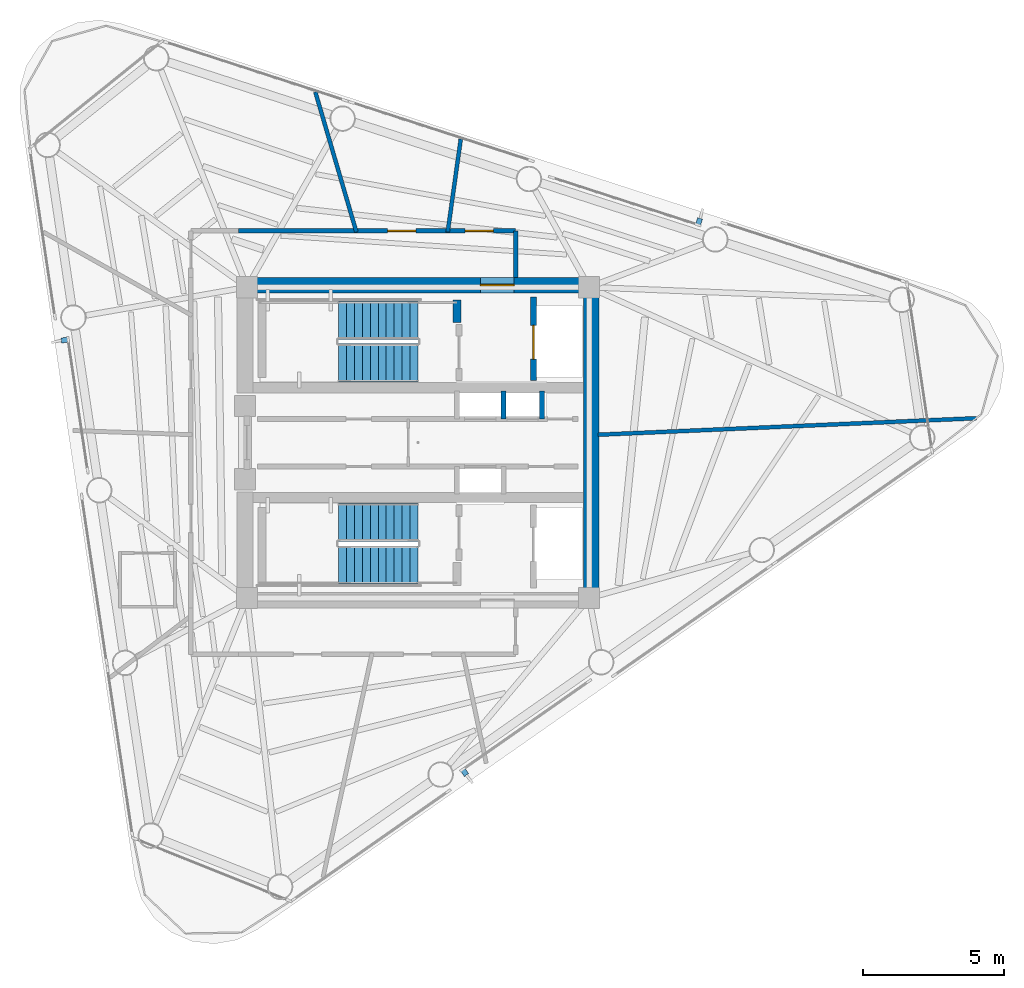
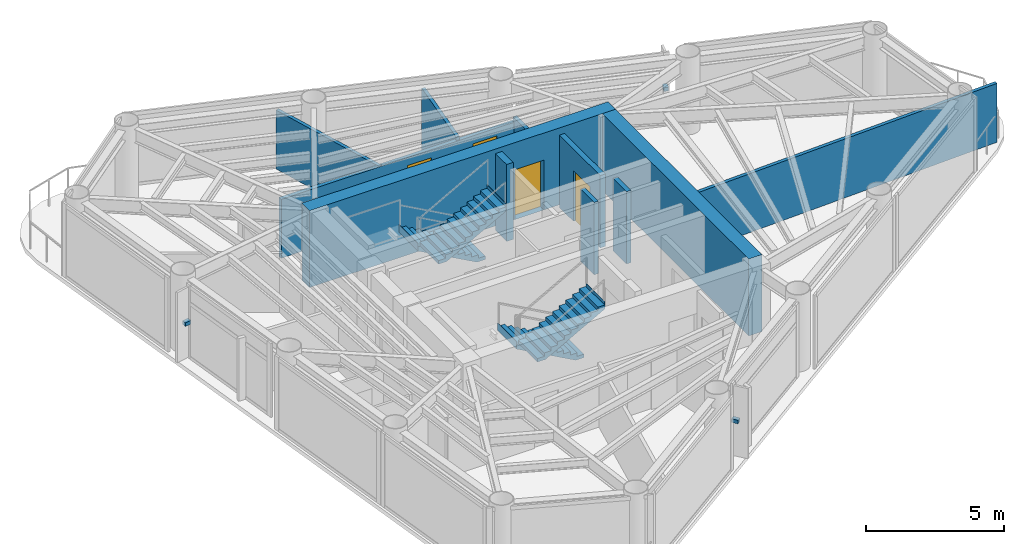
# One storey, part 6 of 9: 11 walls, 4 doors, 4 stair flights, 3 discrete accessories, 4 openings, 2 elements without a shape of their own.
"""IFC4 building model written with IfcOpenShell, lengths in metres."""

from ifc_helpers import new_model, si_unit, direction, frame, frame_2d, origin, origin_2d, place, context, subcontext, project, spatial, polyline, rectangle, outline, extrude, source, transform, mapped, material, layer, layer_set, type_object, element, fill, aggregate, save


model = new_model("IFC4")

# Units and contexts
model_context = context("Model", 3, precision=1e-05, world=origin(), true_north=direction((0.0, 1.0)))
body_context = subcontext(model_context, "Body", "Model", "MODEL_VIEW")
ifc_project = project(units=[si_unit("LENGTHUNIT", "METRE"), si_unit("AREAUNIT", "SQUARE_METRE"), si_unit("VOLUMEUNIT", "CUBIC_METRE"), si_unit("PLANEANGLEUNIT", "RADIAN"), si_unit("MASSUNIT", "GRAM", prefix="KILO")], contexts=[model_context])

# Site, building, storey
site_placement = place(None, origin())
site = spatial("IfcSite", under=ifc_project, at=site_placement, CompositionType="ELEMENT")
building_placement = place(site_placement, origin())
building = spatial("IfcBuilding", under=site, at=building_placement, Name="Yunling Apex Tower", CompositionType="ELEMENT")
storey_placement = place(building_placement, frame((0.0, 0.0, 260.949951171875)))
storey = spatial("IfcBuildingStorey", under=building, at=storey_placement, Name="L63", CompositionType="ELEMENT", Elevation=260.949951171875)

# Wall, opening, door
ifc_material_1 = material(Name="Concrete C40", Category="concrete")
ifc_layer_1 = layer(ifc_material_1, 0.550048828125)
ifc_layer_set_1 = layer_set([ifc_layer_1], Name="Concrete C40")
wall_type_1 = type_object("IfcWallType", Name="WL-COR-3", PredefinedType="SHEAR", material=ifc_layer_set_1)
wall_1_placement = place(storey_placement, frame((-6.39990234375, 5.574951171875, 0.0), z_axis=(0.0, 0.0, 1.0), x_axis=(1.0, 0.0, 0.0)))
wall_1 = element("IfcWall", 1, at=wall_1_placement, inside=storey, type_object=wall_type_1, Name="L63 North Core Shear Wall", PredefinedType="SHEAR", context=body_context, shape_type="SweptSolid", body=[
    extrude(rectangle(XDim=12.7998046875, YDim=0.550048828125, at=frame_2d((6.39990234375, 0.0))), origin(), (0.0, 0.0, 1.0), 3.400146484375),
])
opening_1_placement = place(wall_1_placement, frame((8.60009765625, 0.0, 0.0)))
opening_1 = element("IfcOpeningElement", 2, at=opening_1_placement, cuts=wall_1, Name="Opening DR-FFL-1", PredefinedType="OPENING", context=body_context, shape_type="SweptSolid", body=[
    extrude(rectangle(XDim=1.199951171875, YDim=2.199951171875, at=frame_2d((0.60009765625, 1.10009765625))), frame((0.0, 0.28515625, 0.0), z_axis=(0.0, -1.0, 0.0), x_axis=(1.0, 0.0, 0.0)), (0.0, 0.0, 1.0), 0.570068359375),
])
ifc_material_2 = material(Name="Steel Q355B", Category="steel")
door_type_1 = type_object("IfcDoorType", Name="DR-FFL-1", OperationType="NOTDEFINED", PredefinedType="DOOR", material=ifc_material_2)
door_1_placement = place(opening_1_placement, origin())
door_1 = element("IfcDoor", 3, at=door_1_placement, inside=storey, type_object=door_type_1, Name="L63 North Firefighting Lobby Door", OperationType="SINGLE_SWING_LEFT", OverallHeight=2.199951171875, OverallWidth=1.199951171875, PredefinedType="DOOR", context=body_context, shape_type="SweptSolid", body=[
    extrude(rectangle(XDim=1.199951171875, YDim=2.199951171875, at=frame_2d((0.60009765625, 1.10009765625))), frame((0.0, 0.02490234375, 0.0), z_axis=(0.0, -1.0, 0.0), x_axis=(1.0, 0.0, 0.0)), (0.0, 0.0, 1.0), 0.050048828125),
])
fill(opening_1, door_1)

# Walls
wall_2_placement = place(storey_placement, frame((6.125, -5.300048828125, 0.0), z_axis=(0.0, 0.0, 1.0), x_axis=(0.0, 1.0, 0.0)))
element("IfcWall", 4, at=wall_2_placement, inside=storey, type_object=wall_type_1, Name="L63 East Core Shear Wall", PredefinedType="SHEAR", context=body_context, shape_type="SweptSolid", body=[
    extrude(rectangle(XDim=10.60009765625, YDim=0.550048828125, at=frame_2d((5.300048828125, 0.0))), origin(), (0.0, 0.0, 1.0), 3.400146484375),
])
ifc_layer_2 = layer(ifc_material_1, 0.280029296875)
ifc_layer_set_2 = layer_set([ifc_layer_2], Name="Concrete C40")
wall_type_2 = type_object("IfcWallType", Name="WL-COR-8", PredefinedType="SHEAR", material=ifc_layer_set_2)
wall_3_placement = place(storey_placement, frame((1.3798828125, 4.25, 0.0), z_axis=(0.0, 0.0, 1.0), x_axis=(0.0, 1.0, 0.0)))
element("IfcWall", 5, at=wall_3_placement, inside=storey, type_object=wall_type_2, Name="L63 ST-1 East Landing Bearing Pier", PredefinedType="SHEAR", context=body_context, shape_type="SweptSolid", body=[
    extrude(rectangle(XDim=0.800048828125, YDim=0.280029296875, at=frame_2d((0.39990234375, 0.0))), origin(), (0.0, 0.0, 1.0), 3.400146484375),
])

# Wall, openings, doors
ifc_material_3 = material(Name="Gypsum board acoustic partition")
ifc_layer_3 = layer(ifc_material_3, 0.159912109375)
ifc_layer_set_3 = layer_set([ifc_layer_3], Name="Gypsum board acoustic partition")
wall_type_3 = type_object("IfcWallType", Name="WL-PRT-1", PredefinedType="PARTITIONING", material=ifc_layer_set_3)
wall_4_placement = place(storey_placement, frame((-6.360107421875, 7.489990234375, 0.0), z_axis=(0.0, 0.0, 1.0), x_axis=(1.0, 0.0, 0.0)))
wall_4 = element("IfcWall", 6, at=wall_4_placement, inside=storey, type_object=wall_type_3, Name="WL-CORR-L63-03", PredefinedType="PARTITIONING", context=body_context, shape_type="SweptSolid", body=[
    extrude(rectangle(XDim=9.81005859375, YDim=0.159912109375, at=frame_2d((4.905029296875, 0.0))), origin(), (0.0, 0.0, 1.0), 2.60498046875),
])
opening_2_placement = place(wall_4_placement, frame((5.283935546875, 0.0, 0.0)))
opening_2 = element("IfcOpeningElement", 7, at=opening_2_placement, cuts=wall_4, Name="Opening DR-OFF-1", PredefinedType="OPENING", context=body_context, shape_type="SweptSolid", body=[
    extrude(rectangle(XDim=1.0, YDim=2.25, at=frame_2d((0.5, 1.125))), frame((0.0, 0.08984375, 0.0), z_axis=(0.0, -1.0, 0.0), x_axis=(1.0, 0.0, 0.0)), (0.0, 0.0, 1.0), 0.179931640625),
])
opening_3_placement = place(wall_4_placement, frame((8.023193359375, 0.0, 0.0)))
opening_3 = element("IfcOpeningElement", 8, at=opening_3_placement, cuts=wall_4, Name="Opening DR-OFF-1", PredefinedType="OPENING", context=body_context, shape_type="SweptSolid", body=[
    extrude(rectangle(XDim=1.0, YDim=2.25, at=frame_2d((0.5, 1.125))), frame((0.0, 0.08984375, 0.0), z_axis=(0.0, -1.0, 0.0), x_axis=(1.0, 0.0, 0.0)), (0.0, 0.0, 1.0), 0.179931640625),
])
ifc_material_4 = material(Name="Bronze anodised aluminium", Category="aluminium")
door_type_2 = type_object("IfcDoorType", Name="DR-OFF-1", OperationType="NOTDEFINED", PredefinedType="DOOR", material=ifc_material_4)
door_2_placement = place(opening_2_placement, origin())
door_2 = element("IfcDoor", 9, at=door_2_placement, inside=storey, type_object=door_type_2, Name="L63 Wellness Yoga Club Door", OperationType="SINGLE_SWING_RIGHT", OverallHeight=2.25, OverallWidth=1.0, PredefinedType="DOOR", context=body_context, shape_type="SweptSolid", body=[
    extrude(rectangle(XDim=1.0, YDim=2.25, at=frame_2d((0.5, 1.125))), frame((0.0, 0.02490234375, 0.0), z_axis=(0.0, -1.0, 0.0), x_axis=(1.0, 0.0, 0.0)), (0.0, 0.0, 1.0), 0.050048828125),
])
fill(opening_2, door_2)
door_3_placement = place(opening_3_placement, origin())
door_3 = element("IfcDoor", 10, at=door_3_placement, inside=storey, type_object=door_type_2, Name="L63 Residents Music Lounge Door", OperationType="SINGLE_SWING_LEFT", OverallHeight=2.25, OverallWidth=1.0, PredefinedType="DOOR", context=body_context, shape_type="SweptSolid", body=[
    extrude(rectangle(XDim=1.0, YDim=2.25, at=frame_2d((0.5, 1.125))), frame((0.0, 0.02490234375, 0.0), z_axis=(0.0, -1.0, 0.0), x_axis=(1.0, 0.0, 0.0)), (0.0, 0.0, 1.0), 0.050048828125),
])
fill(opening_3, door_3)

# Walls
wall_5_placement = place(storey_placement, frame((3.449951171875, 7.489990234375, 0.0), z_axis=(0.0, 0.0, 1.0), x_axis=(0.0, -1.0, 0.0)))
element("IfcWall", 11, at=wall_5_placement, inside=storey, type_object=wall_type_3, Name="WL-CORR-L63-04", PredefinedType="PARTITIONING", context=body_context, shape_type="SweptSolid", body=[
    extrude(rectangle(XDim=1.639892578125, YDim=0.159912109375, at=frame_2d((0.81982421875, 0.0))), origin(), (0.0, 0.0, 1.0), 2.804931640625),
])
ifc_layer_4 = layer(ifc_material_3, 0.139892578125)
ifc_layer_set_4 = layer_set([ifc_layer_4], Name="Gypsum board acoustic partition")
wall_type_4 = type_object("IfcWallType", Name="WL-PRT-2", PredefinedType="PARTITIONING", material=ifc_layer_set_4)
wall_6_placement = place(storey_placement, frame((6.360107421875, 0.277587890625, 0.0), z_axis=(0.0, 0.0, 1.0), x_axis=(0.999047617824, 0.043633213494, 0.0)))
element("IfcWall", 12, at=wall_6_placement, inside=storey, type_object=wall_type_4, Name="WL-RAD-L63-01", PredefinedType="PARTITIONING", context=body_context, shape_type="SweptSolid", body=[
    extrude(rectangle(XDim=13.40625, YDim=0.139892578125, at=frame_2d((6.703125, 0.0))), origin(), (0.0, 0.0, 1.0), 2.60498046875),
])
wall_7_placement = place(storey_placement, frame((1.047119140625, 7.449951171875, 0.0), z_axis=(0.0, 0.0, 1.0), x_axis=(0.13916814145, 0.990268765743, 0.0)))
element("IfcWall", 13, at=wall_7_placement, inside=storey, type_object=wall_type_4, Name="WL-RAD-L63-02", PredefinedType="PARTITIONING", context=body_context, shape_type="SweptSolid", body=[
    extrude(rectangle(XDim=3.322509765625, YDim=0.139892578125, at=frame_2d((1.6611328125, 0.0))), origin(), (0.0, 0.0, 1.0), 2.76513671875),
])
wall_8_placement = place(storey_placement, frame((-2.18310546875, 7.449951171875, 0.0), z_axis=(0.0, 0.0, 1.0), x_axis=(-0.281242676509, 0.95963667964, 0.0)))
element("IfcWall", 14, at=wall_8_placement, inside=storey, type_object=wall_type_4, Name="WL-RAD-L63-03", PredefinedType="PARTITIONING", context=body_context, shape_type="SweptSolid", body=[
    extrude(rectangle(XDim=5.166748046875, YDim=0.139892578125, at=frame_2d((2.58349609375, 0.0))), origin(), (0.0, 0.0, 1.0), 2.60498046875),
])

# Wall, opening, door
ifc_material_5 = material(Name="Autoclaved aerated concrete masonry", Category="masonry")
ifc_layer_5 = layer(ifc_material_5, 0.219970703125)
ifc_layer_set_5 = layer_set([ifc_layer_5], Name="Autoclaved aerated concrete masonry")
wall_type_5 = type_object("IfcWallType", Name="WL-SHF-1", PredefinedType="PLUMBINGWALL", material=ifc_layer_set_5)
wall_9_placement = place(storey_placement, frame((4.080078125, 2.199951171875, 0.0), z_axis=(0.0, 0.0, 1.0), x_axis=(0.0, 1.0, 0.0)))
wall_9 = element("IfcWall", 15, at=wall_9_placement, inside=storey, type_object=wall_type_5, Name="WL-FFL1-W-L63", PredefinedType="PLUMBINGWALL", context=body_context, shape_type="SweptSolid", body=[
    extrude(rectangle(XDim=2.949951171875, YDim=0.219970703125, at=frame_2d((1.47509765625, 0.0))), origin(), (0.0, 0.0, 1.0), 3.199951171875),
])
opening_4_placement = place(wall_9_placement, frame((0.75, 0.0, 0.0)))
opening_4 = element("IfcOpeningElement", 16, at=opening_4_placement, cuts=wall_9, Name="Opening LD-FFL-1", PredefinedType="OPENING", context=body_context, shape_type="SweptSolid", body=[
    extrude(rectangle(XDim=1.199951171875, YDim=2.25, at=frame_2d((0.60009765625, 1.125))), frame((0.0, 0.1201171875, 0.0), z_axis=(0.0, -1.0, 0.0), x_axis=(1.0, 0.0, 0.0)), (0.0, 0.0, 1.0), 0.239990234375),
])
door_type_3 = type_object("IfcDoorType", Name="LD-FFL-1", OperationType="DOUBLE_DOOR_SLIDING", PredefinedType="DOOR", material=ifc_material_2)
door_4_placement = place(opening_4_placement, origin())
door_4 = element("IfcDoor", 17, at=door_4_placement, inside=storey, type_object=door_type_3, Name="L63 Lift FFL-1 Landing Door", OperationType="DOUBLE_DOOR_SLIDING", OverallHeight=2.25, OverallWidth=1.199951171875, PredefinedType="DOOR", context=body_context, shape_type="SweptSolid", body=[
    extrude(rectangle(XDim=1.199951171875, YDim=2.25, at=frame_2d((0.60009765625, 1.125))), frame((0.0, 0.02490234375, 0.0), z_axis=(0.0, -1.0, 0.0), x_axis=(1.0, 0.0, 0.0)), (0.0, 0.0, 1.0), 0.050048828125),
])
fill(opening_4, door_4)

# Walls
ifc_layer_6 = layer(ifc_material_5, 0.179931640625)
ifc_layer_set_6 = layer_set([ifc_layer_6], Name="Autoclaved aerated concrete masonry")
wall_type_6 = type_object("IfcWallType", Name="WL-SHF-2", PredefinedType="PLUMBINGWALL", material=ifc_layer_set_6)
for number, where, z_axis, x_axis, name in (
    (18, (3.02001953125, 0.840087890625, 0.0), (0.0, 0.0, 1.0), (0.0, 1.0, 0.0), "WL-DIV-H13-L63"),
    (19, (4.3798828125, 0.840087890625, 0.0), (0.0, 0.0, 1.0), (0.0, 1.0, 0.0), "WL-END-H3E-L63"),
):
    element("IfcWall", number, at=place(storey_placement, frame(where, z_axis=z_axis, x_axis=x_axis)), inside=storey, type_object=wall_type_6, Name=name, PredefinedType="PLUMBINGWALL", context=body_context, shape_type="SweptSolid", body=[
        extrude(rectangle(XDim=0.97998046875, YDim=0.179931640625, at=frame_2d((0.489990234375, 0.0))), origin(), (0.0, 0.0, 1.0), 3.199951171875),
    ])

# Stair, stair flights
stair_type = type_object("IfcStairType", Name="ST-TWR-3", PredefinedType="HALF_TURN_STAIR", material=ifc_material_1)
stair_1_placement = place(storey_placement, origin())
stair_1 = element("IfcStair", 20, at=stair_1_placement, inside=storey, type_object=stair_type, Name="L63 North Core Smokeproof Exit Stair ST-1", PredefinedType="HALF_TURN_STAIR")
stair_flight_type = type_object("IfcStairFlightType", Name="SFL-TWR-3", PredefinedType="STRAIGHT", material=ifc_material_1)
stair_flight_1_placement = place(storey_placement, frame((-0.010009765625, 4.330078125, 0.0), z_axis=(0.0, 0.0, 1.0), x_axis=(-1.0, 0.0, 0.0)))
stair_flight_1 = element("IfcStairFlight", 21, at=stair_flight_1_placement, type_object=stair_flight_type, Name="ST-1 flight 1", NumberOfRisers=11, NumberOfTreads=10, PredefinedType="STRAIGHT", RiserHeight=0.154545455, TreadLength=0.28, context=body_context, shape_type="SweptSolid", body=[
    extrude(outline(polyline([(-0.011962890625, 0.0), (-0.011962890625, 0.154541015625), (0.0, 0.154541015625), (0.280029296875, 0.154541015625), (0.280029296875, 0.30908203125), (0.56005859375, 0.30908203125), (0.56005859375, 0.463623046875), (0.840087890625, 0.463623046875), (0.840087890625, 0.6181640625), (1.1201171875, 0.6181640625), (1.1201171875, 0.772705078125), (1.39990234375, 0.772705078125), (1.39990234375, 0.92724609375), (1.679931640625, 0.92724609375), (1.679931640625, 1.081787109375), (1.9599609375, 1.081787109375), (1.9599609375, 1.236328125), (2.239990234375, 1.236328125), (2.239990234375, 1.390869140625), (2.52001953125, 1.390869140625), (2.52001953125, 1.54541015625), (2.800048828125, 1.54541015625), (2.800048828125, 1.699951171875), (2.81201171875, 1.699951171875), (2.81201171875, 1.36279296875), (0.330810546875, 0.0), (-0.011962890625, 0.0)])), frame((0.0, 0.68017578125, 0.0), z_axis=(0.0, -1.0, 0.0), x_axis=(1.0, 0.0, 0.0)), (0.0, 0.0, 1.0), 1.360107421875),
])
stair_flight_2_placement = place(storey_placement, frame((-2.81005859375, 2.820068359375, 1.699951171875), z_axis=(0.0, 0.0, 1.0), x_axis=(1.0, 0.0, 0.0)))
stair_flight_2 = element("IfcStairFlight", 22, at=stair_flight_2_placement, type_object=stair_flight_type, Name="ST-1 flight 2", NumberOfRisers=11, NumberOfTreads=10, PredefinedType="STRAIGHT", RiserHeight=0.154545455, TreadLength=0.28, context=body_context, shape_type="SweptSolid", body=[
    extrude(outline(polyline([(-0.011962890625, 0.0), (-0.011962890625, 0.154541015625), (0.0, 0.154541015625), (0.280029296875, 0.154541015625), (0.280029296875, 0.30908203125), (0.56005859375, 0.30908203125), (0.56005859375, 0.463623046875), (0.840087890625, 0.463623046875), (0.840087890625, 0.6181640625), (1.1201171875, 0.6181640625), (1.1201171875, 0.772705078125), (1.39990234375, 0.772705078125), (1.39990234375, 0.92724609375), (1.679931640625, 0.92724609375), (1.679931640625, 1.081787109375), (1.9599609375, 1.081787109375), (1.9599609375, 1.236328125), (2.239990234375, 1.236328125), (2.239990234375, 1.390869140625), (2.52001953125, 1.390869140625), (2.52001953125, 1.54541015625), (2.800048828125, 1.54541015625), (2.800048828125, 1.699951171875), (2.81201171875, 1.699951171875), (2.81201171875, 1.36279296875), (0.330810546875, 0.0), (-0.011962890625, 0.0)])), frame((0.0, 0.68017578125, 0.0), z_axis=(0.0, -1.0, 0.0), x_axis=(1.0, 0.0, 0.0)), (0.0, 0.0, 1.0), 1.360107421875),
])
aggregate(stair_1, [stair_flight_1, stair_flight_2])

stair_2_placement = place(storey_placement, origin())
stair_2 = element("IfcStair", 23, at=stair_2_placement, inside=storey, type_object=stair_type, Name="L63 South Core Smokeproof Exit Stair ST-2", PredefinedType="HALF_TURN_STAIR")
stair_flight_3_placement = place(storey_placement, frame((-0.010009765625, -2.820068359375, 0.0), z_axis=(0.0, 0.0, 1.0), x_axis=(-1.0, 0.0, 0.0)))
stair_flight_3 = element("IfcStairFlight", 24, at=stair_flight_3_placement, type_object=stair_flight_type, Name="ST-2 flight 1", NumberOfRisers=11, NumberOfTreads=10, PredefinedType="STRAIGHT", RiserHeight=0.154545455, TreadLength=0.28, context=body_context, shape_type="SweptSolid", body=[
    extrude(outline(polyline([(-0.011962890625, 0.0), (-0.011962890625, 0.154541015625), (0.0, 0.154541015625), (0.280029296875, 0.154541015625), (0.280029296875, 0.30908203125), (0.56005859375, 0.30908203125), (0.56005859375, 0.463623046875), (0.840087890625, 0.463623046875), (0.840087890625, 0.6181640625), (1.1201171875, 0.6181640625), (1.1201171875, 0.772705078125), (1.39990234375, 0.772705078125), (1.39990234375, 0.92724609375), (1.679931640625, 0.92724609375), (1.679931640625, 1.081787109375), (1.9599609375, 1.081787109375), (1.9599609375, 1.236328125), (2.239990234375, 1.236328125), (2.239990234375, 1.390869140625), (2.52001953125, 1.390869140625), (2.52001953125, 1.54541015625), (2.800048828125, 1.54541015625), (2.800048828125, 1.699951171875), (2.81201171875, 1.699951171875), (2.81201171875, 1.36279296875), (0.330810546875, 0.0), (-0.011962890625, 0.0)])), frame((0.0, 0.68017578125, 0.0), z_axis=(0.0, -1.0, 0.0), x_axis=(1.0, 0.0, 0.0)), (0.0, 0.0, 1.0), 1.360107421875),
])
stair_flight_4_placement = place(storey_placement, frame((-2.81005859375, -4.330078125, 1.699951171875), z_axis=(0.0, 0.0, 1.0), x_axis=(1.0, 0.0, 0.0)))
stair_flight_4 = element("IfcStairFlight", 25, at=stair_flight_4_placement, type_object=stair_flight_type, Name="ST-2 flight 2", NumberOfRisers=11, NumberOfTreads=10, PredefinedType="STRAIGHT", RiserHeight=0.154545455, TreadLength=0.28, context=body_context, shape_type="SweptSolid", body=[
    extrude(outline(polyline([(-0.011962890625, 0.0), (-0.011962890625, 0.154541015625), (0.0, 0.154541015625), (0.280029296875, 0.154541015625), (0.280029296875, 0.30908203125), (0.56005859375, 0.30908203125), (0.56005859375, 0.463623046875), (0.840087890625, 0.463623046875), (0.840087890625, 0.6181640625), (1.1201171875, 0.6181640625), (1.1201171875, 0.772705078125), (1.39990234375, 0.772705078125), (1.39990234375, 0.92724609375), (1.679931640625, 0.92724609375), (1.679931640625, 1.081787109375), (1.9599609375, 1.081787109375), (1.9599609375, 1.236328125), (2.239990234375, 1.236328125), (2.239990234375, 1.390869140625), (2.52001953125, 1.390869140625), (2.52001953125, 1.54541015625), (2.800048828125, 1.54541015625), (2.800048828125, 1.699951171875), (2.81201171875, 1.699951171875), (2.81201171875, 1.36279296875), (0.330810546875, 0.0), (-0.011962890625, 0.0)])), frame((0.0, 0.68017578125, 0.0), z_axis=(0.0, -1.0, 0.0), x_axis=(1.0, 0.0, 0.0)), (0.0, 0.0, 1.0), 1.360107421875),
])
aggregate(stair_2, [stair_flight_3, stair_flight_4])

# Discrete accessories
discrete_accessory_type = type_object("IfcDiscreteAccessoryType", Name="BK-FIN-1", PredefinedType="BRACKET", material=ifc_material_2)
shared_shape = source(origin(), body_context, "Body", "SweptSolid", [
    extrude(rectangle(XDim=0.179931640625, YDim=0.260009765625, at=origin_2d()), origin(), (0.0, 0.0, 1.0), 0.159912109375),
])
for number, where, z_axis, x_axis, name in (
    (26, (1.638427734375, -11.656982421875, 1.5302734375), (0.0, 0.0, 1.0), (0.819552276527, 0.573004420611, 0.0), "CW-L63-F1-B2-BRK-01-1"),
    (27, (9.938720703125, 7.80810546875, 1.5302734375), (0.0, 0.0, 1.0), (-0.951272019071, 0.30835295642, 0.0), "CW-L63-F2-B2-BRK-01-1"),
    (28, (-12.492919921875, 3.630615234375, 1.5302734375), (0.0, 0.0, 1.0), (0.14780941113, -0.989015863362, 0.0), "CW-L63-F3-B2-BRK-01-1"),
):
    element("IfcDiscreteAccessory", number, at=place(storey_placement, frame(where, z_axis=z_axis, x_axis=x_axis)), inside=storey, type_object=discrete_accessory_type, Name=name, PredefinedType="BRACKET", context=body_context, shape_type="MappedRepresentation", body=[
        mapped(shared_shape, transform((0.0, 0.0, 0.0), scale=1.0)),
    ])

save(model, "model.ifc")
